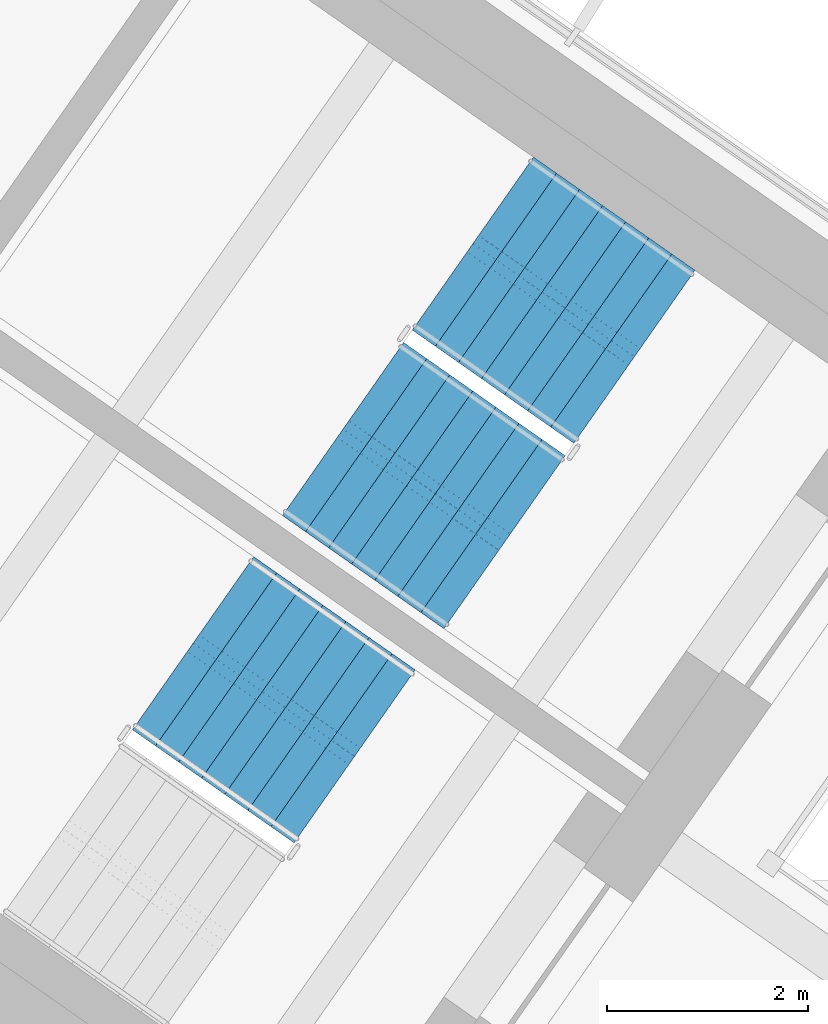
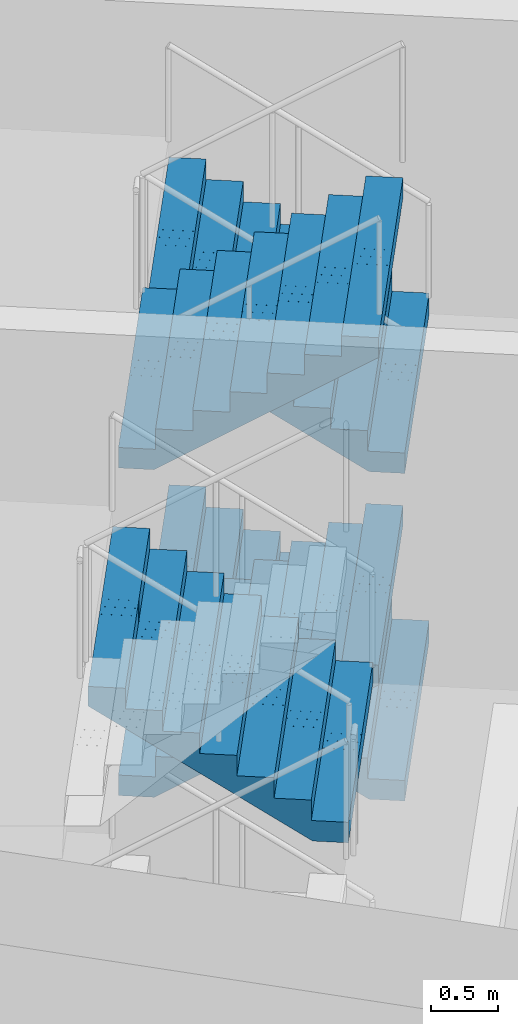
# One storey, part 12 of 18: 5 stair flights, 2 elements without a shape of their own.
"""IFC4 building model written with IfcOpenShell, lengths in metres."""

from ifc_helpers import new_model, si_unit, direction, frame, origin, place, context, subcontext, project, spatial, polyline, outline, extrude, material, type_object, element, aggregate, save


model = new_model("IFC4")

# Units and contexts
model_context = context("Model", 3, precision=1e-05, world=origin(), true_north=direction((0.0, 1.0)))
body_context = subcontext(model_context, "Body", "Model", "MODEL_VIEW")
ifc_project = project(units=[si_unit("LENGTHUNIT", "METRE"), si_unit("AREAUNIT", "SQUARE_METRE"), si_unit("VOLUMEUNIT", "CUBIC_METRE"), si_unit("PLANEANGLEUNIT", "RADIAN"), si_unit("MASSUNIT", "GRAM", prefix="KILO")], contexts=[model_context])

# Site, building, storey
site_placement = place(None, origin())
site = spatial("IfcSite", under=ifc_project, at=site_placement, CompositionType="ELEMENT")
building_placement = place(site_placement, origin())
building = spatial("IfcBuilding", under=site, at=building_placement, Name="Tel Ilan Convention Tower", CompositionType="ELEMENT")
storey_placement = place(building_placement, frame((0.0, 0.0, 307.300048828125)))
storey = spatial("IfcBuildingStorey", under=building, at=storey_placement, Name="L73", CompositionType="ELEMENT", Elevation=307.300048828125)

# Stair, stair flights
ifc_material_1 = material(Name="Concrete C40/50", Category="concrete")
stair_type = type_object("IfcStairType", Name="Pressurised Exit Stair 32 risers 188 mm", PredefinedType="HALF_TURN_STAIR", material=ifc_material_1)
stair_1_placement = place(storey_placement, origin())
stair_1 = element("IfcStair", 1, at=stair_1_placement, inside=storey, type_object=stair_type, Name="L73 Pressurised Stair S3", PredefinedType="HALF_TURN_STAIR")
ifc_material_2 = material(Name="Precast Concrete C40/50", Category="concrete")
stair_flight_type = type_object("IfcStairFlightType", Name="Concrete Stair Flight 2100 mm 32 risers 188 mm", PredefinedType="STRAIGHT", material=ifc_material_2)
stair_flight_1_placement = place(storey_placement, frame((24.25244140625, -7.032470703125, 0.0), z_axis=(0.0, 0.0, 1.0), x_axis=(-0.819152044289, 0.573576436351, 0.0)))
stair_flight_1 = element("IfcStairFlight", 2, at=stair_flight_1_placement, type_object=stair_flight_type, Name="S3 flight 1", NumberOfRisers=8, NumberOfTreads=7, PredefinedType="STRAIGHT", RiserHeight=0.1875, TreadLength=0.28, context=body_context, shape_type="SweptSolid", body=[
    extrude(outline(polyline([(0.0, 0.0), (0.0, 0.1875), (0.280029296875, 0.1875), (0.280029296875, 0.375), (0.56005859375, 0.375), (0.56005859375, 0.5625), (0.840087890625, 0.5625), (0.840087890625, 0.75), (1.1201171875, 0.75), (1.1201171875, 0.9375), (1.39990234375, 0.9375), (1.39990234375, 1.125), (1.679931640625, 1.125), (1.679931640625, 1.3125), (1.9599609375, 1.3125), (1.9599609375, 1.5), (1.9599609375, 1.132080078125), (0.26953125, 0.0), (0.0, 0.0)])), frame((0.0, -0.100341796875, 0.0), z_axis=(0.0, -1.0, 0.0), x_axis=(1.0, 0.0, 0.0)), (0.0, 0.0, 1.0), 0.94970703125),
    extrude(outline(polyline([(0.0, 0.0), (0.0, 0.1875), (0.280029296875, 0.1875), (0.280029296875, 0.375), (0.56005859375, 0.375), (0.56005859375, 0.5625), (0.840087890625, 0.5625), (0.840087890625, 0.75), (1.1201171875, 0.75), (1.1201171875, 0.9375), (1.39990234375, 0.9375), (1.39990234375, 1.125), (1.679931640625, 1.125), (1.679931640625, 1.3125), (1.9599609375, 1.3125), (1.9599609375, 1.5), (1.9599609375, 1.132080078125), (0.26953125, 0.0), (0.0, 0.0)])), frame((0.0, -0.000244140625, 0.0), z_axis=(0.0, -1.0, 0.0), x_axis=(1.0, 0.0, 0.0)), (0.0, 0.0, 1.0), 0.099609375),
    extrude(outline(polyline([(0.0, 0.0), (0.0, 0.1875), (0.280029296875, 0.1875), (0.280029296875, 0.375), (0.56005859375, 0.375), (0.56005859375, 0.5625), (0.840087890625, 0.5625), (0.840087890625, 0.75), (1.1201171875, 0.75), (1.1201171875, 0.9375), (1.39990234375, 0.9375), (1.39990234375, 1.125), (1.679931640625, 1.125), (1.679931640625, 1.3125), (1.9599609375, 1.3125), (1.9599609375, 1.5), (1.9599609375, 1.132080078125), (0.26953125, 0.0), (0.0, 0.0)])), frame((0.0, 0.099853515625, 0.0), z_axis=(0.0, -1.0, 0.0), x_axis=(1.0, 0.0, 0.0)), (0.0, 0.0, 1.0), 0.099609375),
    extrude(outline(polyline([(0.0, 0.0), (0.0, 0.1875), (0.280029296875, 0.1875), (0.280029296875, 0.375), (0.56005859375, 0.375), (0.56005859375, 0.5625), (0.840087890625, 0.5625), (0.840087890625, 0.75), (1.1201171875, 0.75), (1.1201171875, 0.9375), (1.39990234375, 0.9375), (1.39990234375, 1.125), (1.679931640625, 1.125), (1.679931640625, 1.3125), (1.9599609375, 1.3125), (1.9599609375, 1.5), (1.9599609375, 1.132080078125), (0.26953125, 0.0), (0.0, 0.0)])), frame((0.0, 1.050048828125, 0.0), z_axis=(0.0, -1.0, 0.0), x_axis=(1.0, 0.0, 0.0)), (0.0, 0.0, 1.0), 0.94970703125),
])
stair_flight_2_placement = place(storey_placement, frame((21.356201171875, -7.751220703125, 1.5), z_axis=(0.0, 0.0, 1.0), x_axis=(0.819152044289, -0.573576436351, 0.0)))
stair_flight_2 = element("IfcStairFlight", 3, at=stair_flight_2_placement, type_object=stair_flight_type, Name="S3 flight 2", NumberOfRisers=8, NumberOfTreads=7, PredefinedType="STRAIGHT", RiserHeight=0.1875, TreadLength=0.28, context=body_context, shape_type="SweptSolid", body=[
    extrude(outline(polyline([(0.0, 0.0), (0.0, 0.1875), (0.280029296875, 0.1875), (0.280029296875, 0.375), (0.56005859375, 0.375), (0.56005859375, 0.5625), (0.840087890625, 0.5625), (0.840087890625, 0.75), (1.1201171875, 0.75), (1.1201171875, 0.9375), (1.39990234375, 0.9375), (1.39990234375, 1.125), (1.679931640625, 1.125), (1.679931640625, 1.3125), (1.9599609375, 1.3125), (1.9599609375, 1.5), (1.9599609375, 1.132080078125), (0.26953125, 0.0), (0.0, 0.0)])), frame((0.0, -0.100341796875, 0.0), z_axis=(0.0, -1.0, 0.0), x_axis=(1.0, 0.0, 0.0)), (0.0, 0.0, 1.0), 0.94970703125),
    extrude(outline(polyline([(0.0, 0.0), (0.0, 0.1875), (0.280029296875, 0.1875), (0.280029296875, 0.375), (0.56005859375, 0.375), (0.56005859375, 0.5625), (0.840087890625, 0.5625), (0.840087890625, 0.75), (1.1201171875, 0.75), (1.1201171875, 0.9375), (1.39990234375, 0.9375), (1.39990234375, 1.125), (1.679931640625, 1.125), (1.679931640625, 1.3125), (1.9599609375, 1.3125), (1.9599609375, 1.5), (1.9599609375, 1.132080078125), (0.26953125, 0.0), (0.0, 0.0)])), frame((0.0, -0.000244140625, 0.0), z_axis=(0.0, -1.0, 0.0), x_axis=(1.0, 0.0, 0.0)), (0.0, 0.0, 1.0), 0.099609375),
    extrude(outline(polyline([(0.0, 0.0), (0.0, 0.1875), (0.280029296875, 0.1875), (0.280029296875, 0.375), (0.56005859375, 0.375), (0.56005859375, 0.5625), (0.840087890625, 0.5625), (0.840087890625, 0.75), (1.1201171875, 0.75), (1.1201171875, 0.9375), (1.39990234375, 0.9375), (1.39990234375, 1.125), (1.679931640625, 1.125), (1.679931640625, 1.3125), (1.9599609375, 1.3125), (1.9599609375, 1.5), (1.9599609375, 1.132080078125), (0.26953125, 0.0), (0.0, 0.0)])), frame((0.0, 0.099853515625, 0.0), z_axis=(0.0, -1.0, 0.0), x_axis=(1.0, 0.0, 0.0)), (0.0, 0.0, 1.0), 0.099609375),
    extrude(outline(polyline([(0.0, 0.0), (0.0, 0.1875), (0.280029296875, 0.1875), (0.280029296875, 0.375), (0.56005859375, 0.375), (0.56005859375, 0.5625), (0.840087890625, 0.5625), (0.840087890625, 0.75), (1.1201171875, 0.75), (1.1201171875, 0.9375), (1.39990234375, 0.9375), (1.39990234375, 1.125), (1.679931640625, 1.125), (1.679931640625, 1.3125), (1.9599609375, 1.3125), (1.9599609375, 1.5), (1.9599609375, 1.132080078125), (0.26953125, 0.0), (0.0, 0.0)])), frame((0.0, 1.050048828125, 0.0), z_axis=(0.0, -1.0, 0.0), x_axis=(1.0, 0.0, 0.0)), (0.0, 0.0, 1.0), 0.94970703125),
])
stair_flight_3_placement = place(storey_placement, frame((24.25244140625, -7.032470703125, 3.0), z_axis=(0.0, 0.0, 1.0), x_axis=(-0.819152044289, 0.573576436351, 0.0)))
stair_flight_3 = element("IfcStairFlight", 4, at=stair_flight_3_placement, type_object=stair_flight_type, Name="S3 flight 3", NumberOfRisers=8, NumberOfTreads=7, PredefinedType="STRAIGHT", RiserHeight=0.1875, TreadLength=0.28, context=body_context, shape_type="SweptSolid", body=[
    extrude(outline(polyline([(0.0, 0.0), (0.0, 0.1875), (0.280029296875, 0.1875), (0.280029296875, 0.375), (0.56005859375, 0.375), (0.56005859375, 0.5625), (0.840087890625, 0.5625), (0.840087890625, 0.75), (1.1201171875, 0.75), (1.1201171875, 0.9375), (1.39990234375, 0.9375), (1.39990234375, 1.125), (1.679931640625, 1.125), (1.679931640625, 1.3125), (1.9599609375, 1.3125), (1.9599609375, 1.5), (1.9599609375, 1.132080078125), (0.26953125, 0.0), (0.0, 0.0)])), frame((0.0, -0.100341796875, 0.0), z_axis=(0.0, -1.0, 0.0), x_axis=(1.0, 0.0, 0.0)), (0.0, 0.0, 1.0), 0.94970703125),
    extrude(outline(polyline([(0.0, 0.0), (0.0, 0.1875), (0.280029296875, 0.1875), (0.280029296875, 0.375), (0.56005859375, 0.375), (0.56005859375, 0.5625), (0.840087890625, 0.5625), (0.840087890625, 0.75), (1.1201171875, 0.75), (1.1201171875, 0.9375), (1.39990234375, 0.9375), (1.39990234375, 1.125), (1.679931640625, 1.125), (1.679931640625, 1.3125), (1.9599609375, 1.3125), (1.9599609375, 1.5), (1.9599609375, 1.132080078125), (0.26953125, 0.0), (0.0, 0.0)])), frame((0.0, -0.000244140625, 0.0), z_axis=(0.0, -1.0, 0.0), x_axis=(1.0, 0.0, 0.0)), (0.0, 0.0, 1.0), 0.099609375),
    extrude(outline(polyline([(0.0, 0.0), (0.0, 0.1875), (0.280029296875, 0.1875), (0.280029296875, 0.375), (0.56005859375, 0.375), (0.56005859375, 0.5625), (0.840087890625, 0.5625), (0.840087890625, 0.75), (1.1201171875, 0.75), (1.1201171875, 0.9375), (1.39990234375, 0.9375), (1.39990234375, 1.125), (1.679931640625, 1.125), (1.679931640625, 1.3125), (1.9599609375, 1.3125), (1.9599609375, 1.5), (1.9599609375, 1.132080078125), (0.26953125, 0.0), (0.0, 0.0)])), frame((0.0, 0.099853515625, 0.0), z_axis=(0.0, -1.0, 0.0), x_axis=(1.0, 0.0, 0.0)), (0.0, 0.0, 1.0), 0.099609375),
    extrude(outline(polyline([(0.0, 0.0), (0.0, 0.1875), (0.280029296875, 0.1875), (0.280029296875, 0.375), (0.56005859375, 0.375), (0.56005859375, 0.5625), (0.840087890625, 0.5625), (0.840087890625, 0.75), (1.1201171875, 0.75), (1.1201171875, 0.9375), (1.39990234375, 0.9375), (1.39990234375, 1.125), (1.679931640625, 1.125), (1.679931640625, 1.3125), (1.9599609375, 1.3125), (1.9599609375, 1.5), (1.9599609375, 1.132080078125), (0.26953125, 0.0), (0.0, 0.0)])), frame((0.0, 1.050048828125, 0.0), z_axis=(0.0, -1.0, 0.0), x_axis=(1.0, 0.0, 0.0)), (0.0, 0.0, 1.0), 0.94970703125),
])
stair_flight_4_placement = place(storey_placement, frame((21.356201171875, -7.751220703125, 4.5), z_axis=(0.0, 0.0, 1.0), x_axis=(0.819152044289, -0.573576436351, 0.0)))
stair_flight_4 = element("IfcStairFlight", 5, at=stair_flight_4_placement, type_object=stair_flight_type, Name="S3 flight 4", NumberOfRisers=8, NumberOfTreads=7, PredefinedType="STRAIGHT", RiserHeight=0.1875, TreadLength=0.28, context=body_context, shape_type="SweptSolid", body=[
    extrude(outline(polyline([(0.0, 0.0), (0.0, 0.1875), (0.280029296875, 0.1875), (0.280029296875, 0.375), (0.56005859375, 0.375), (0.56005859375, 0.5625), (0.840087890625, 0.5625), (0.840087890625, 0.75), (1.1201171875, 0.75), (1.1201171875, 0.9375), (1.39990234375, 0.9375), (1.39990234375, 1.125), (1.679931640625, 1.125), (1.679931640625, 1.3125), (1.9599609375, 1.3125), (1.9599609375, 1.5), (1.9599609375, 1.132080078125), (0.26953125, 0.0), (0.0, 0.0)])), frame((0.0, -0.100341796875, 0.0), z_axis=(0.0, -1.0, 0.0), x_axis=(1.0, 0.0, 0.0)), (0.0, 0.0, 1.0), 0.94970703125),
    extrude(outline(polyline([(0.0, 0.0), (0.0, 0.1875), (0.280029296875, 0.1875), (0.280029296875, 0.375), (0.56005859375, 0.375), (0.56005859375, 0.5625), (0.840087890625, 0.5625), (0.840087890625, 0.75), (1.1201171875, 0.75), (1.1201171875, 0.9375), (1.39990234375, 0.9375), (1.39990234375, 1.125), (1.679931640625, 1.125), (1.679931640625, 1.3125), (1.9599609375, 1.3125), (1.9599609375, 1.5), (1.9599609375, 1.132080078125), (0.26953125, 0.0), (0.0, 0.0)])), frame((0.0, -0.000244140625, 0.0), z_axis=(0.0, -1.0, 0.0), x_axis=(1.0, 0.0, 0.0)), (0.0, 0.0, 1.0), 0.099609375),
    extrude(outline(polyline([(0.0, 0.0), (0.0, 0.1875), (0.280029296875, 0.1875), (0.280029296875, 0.375), (0.56005859375, 0.375), (0.56005859375, 0.5625), (0.840087890625, 0.5625), (0.840087890625, 0.75), (1.1201171875, 0.75), (1.1201171875, 0.9375), (1.39990234375, 0.9375), (1.39990234375, 1.125), (1.679931640625, 1.125), (1.679931640625, 1.3125), (1.9599609375, 1.3125), (1.9599609375, 1.5), (1.9599609375, 1.132080078125), (0.26953125, 0.0), (0.0, 0.0)])), frame((0.0, 0.099853515625, 0.0), z_axis=(0.0, -1.0, 0.0), x_axis=(1.0, 0.0, 0.0)), (0.0, 0.0, 1.0), 0.099609375),
    extrude(outline(polyline([(0.0, 0.0), (0.0, 0.1875), (0.280029296875, 0.1875), (0.280029296875, 0.375), (0.56005859375, 0.375), (0.56005859375, 0.5625), (0.840087890625, 0.5625), (0.840087890625, 0.75), (1.1201171875, 0.75), (1.1201171875, 0.9375), (1.39990234375, 0.9375), (1.39990234375, 1.125), (1.679931640625, 1.125), (1.679931640625, 1.3125), (1.9599609375, 1.3125), (1.9599609375, 1.5), (1.9599609375, 1.132080078125), (0.26953125, 0.0), (0.0, 0.0)])), frame((0.0, 1.050048828125, 0.0), z_axis=(0.0, -1.0, 0.0), x_axis=(1.0, 0.0, 0.0)), (0.0, 0.0, 1.0), 0.94970703125),
])
aggregate(stair_1, [stair_flight_1, stair_flight_2, stair_flight_3, stair_flight_4])

# Stair, stair flight
stair_2_placement = place(storey_placement, origin())
stair_2 = element("IfcStair", 6, at=stair_2_placement, inside=storey, type_object=stair_type, Name="L73 Pressurised Stair S4", PredefinedType="HALF_TURN_STAIR")
stair_flight_5_placement = place(storey_placement, frame((21.470458984375, -11.00537109375, 3.0), z_axis=(0.0, 0.0, 1.0), x_axis=(-0.819152044289, 0.573576436351, 0.0)))
stair_flight_5 = element("IfcStairFlight", 7, at=stair_flight_5_placement, type_object=stair_flight_type, Name="S4 flight 3", NumberOfRisers=8, NumberOfTreads=7, PredefinedType="STRAIGHT", RiserHeight=0.1875, TreadLength=0.28, context=body_context, shape_type="SweptSolid", body=[
    extrude(outline(polyline([(0.0, 0.0), (0.0, 0.1875), (0.280029296875, 0.1875), (0.280029296875, 0.375), (0.56005859375, 0.375), (0.56005859375, 0.5625), (0.840087890625, 0.5625), (0.840087890625, 0.75), (1.1201171875, 0.75), (1.1201171875, 0.9375), (1.39990234375, 0.9375), (1.39990234375, 1.125), (1.679931640625, 1.125), (1.679931640625, 1.3125), (1.9599609375, 1.3125), (1.9599609375, 1.5), (1.9599609375, 1.132080078125), (0.26953125, 0.0), (0.0, 0.0)])), frame((0.0, -0.100341796875, 0.0), z_axis=(0.0, -1.0, 0.0), x_axis=(1.0, 0.0, 0.0)), (0.0, 0.0, 1.0), 0.94970703125),
    extrude(outline(polyline([(0.0, 0.0), (0.0, 0.1875), (0.280029296875, 0.1875), (0.280029296875, 0.375), (0.56005859375, 0.375), (0.56005859375, 0.5625), (0.840087890625, 0.5625), (0.840087890625, 0.75), (1.1201171875, 0.75), (1.1201171875, 0.9375), (1.39990234375, 0.9375), (1.39990234375, 1.125), (1.679931640625, 1.125), (1.679931640625, 1.3125), (1.9599609375, 1.3125), (1.9599609375, 1.5), (1.9599609375, 1.132080078125), (0.26953125, 0.0), (0.0, 0.0)])), frame((0.0, -0.000244140625, 0.0), z_axis=(0.0, -1.0, 0.0), x_axis=(1.0, 0.0, 0.0)), (0.0, 0.0, 1.0), 0.099609375),
    extrude(outline(polyline([(0.0, 0.0), (0.0, 0.1875), (0.280029296875, 0.1875), (0.280029296875, 0.375), (0.56005859375, 0.375), (0.56005859375, 0.5625), (0.840087890625, 0.5625), (0.840087890625, 0.75), (1.1201171875, 0.75), (1.1201171875, 0.9375), (1.39990234375, 0.9375), (1.39990234375, 1.125), (1.679931640625, 1.125), (1.679931640625, 1.3125), (1.9599609375, 1.3125), (1.9599609375, 1.5), (1.9599609375, 1.132080078125), (0.26953125, 0.0), (0.0, 0.0)])), frame((0.0, 0.099853515625, 0.0), z_axis=(0.0, -1.0, 0.0), x_axis=(1.0, 0.0, 0.0)), (0.0, 0.0, 1.0), 0.099609375),
    extrude(outline(polyline([(0.0, 0.0), (0.0, 0.1875), (0.280029296875, 0.1875), (0.280029296875, 0.375), (0.56005859375, 0.375), (0.56005859375, 0.5625), (0.840087890625, 0.5625), (0.840087890625, 0.75), (1.1201171875, 0.75), (1.1201171875, 0.9375), (1.39990234375, 0.9375), (1.39990234375, 1.125), (1.679931640625, 1.125), (1.679931640625, 1.3125), (1.9599609375, 1.3125), (1.9599609375, 1.5), (1.9599609375, 1.132080078125), (0.26953125, 0.0), (0.0, 0.0)])), frame((0.0, 1.050048828125, 0.0), z_axis=(0.0, -1.0, 0.0), x_axis=(1.0, 0.0, 0.0)), (0.0, 0.0, 1.0), 0.94970703125),
])
aggregate(stair_2, [stair_flight_5])

save(model, "model.ifc")
